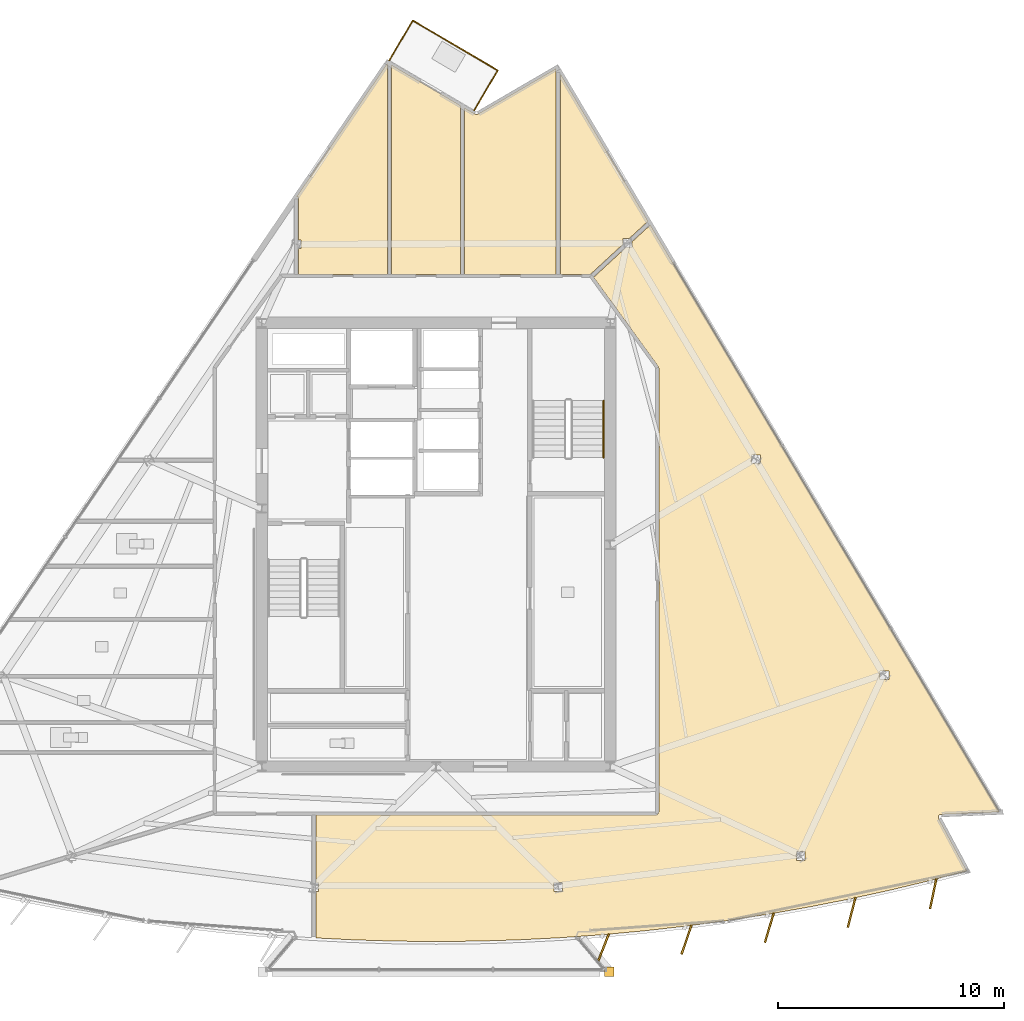
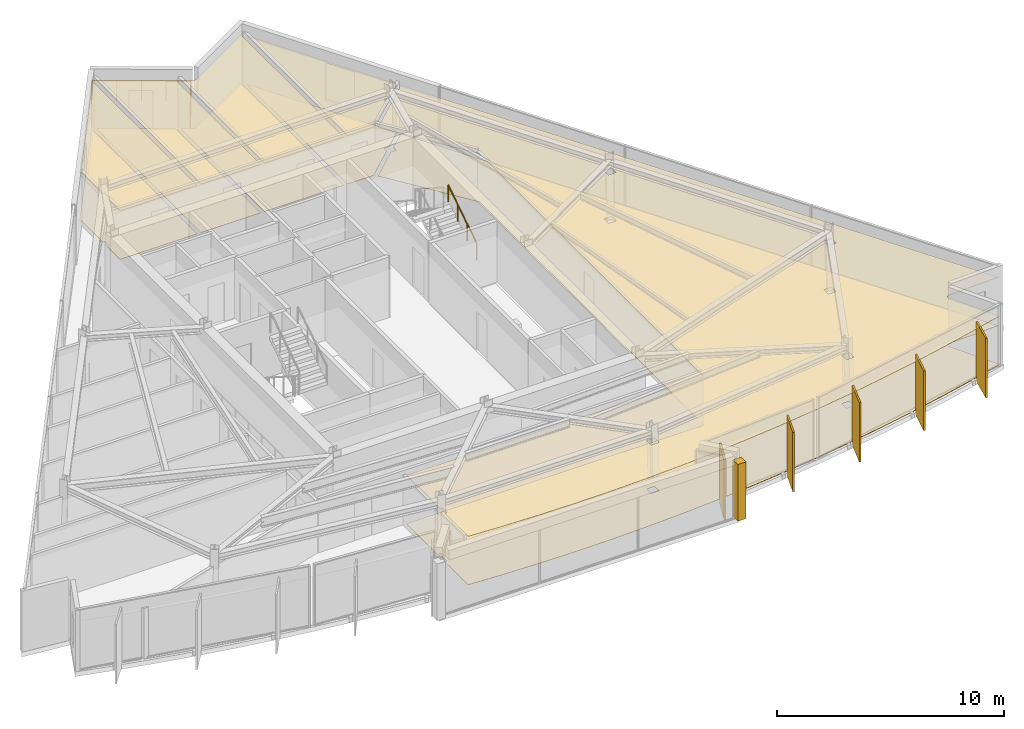
# One storey, part 13 of 14: 11 coverings, 5 shading devices, 4 railings.
"""IFC4 building model written with IfcOpenShell, lengths in metres."""

import ifcopenshell
import ifcopenshell.guid

model = None  # the IFC model being written
_history = None  # IfcOwnerHistory: only IFC2X3 demands one
_inside = {}  # id of a spatial element -> (the spatial element, [elements in it])
_under = {}  # id of a project, library or spatial element -> (it, [spatial elements below it])
_declared = {}  # id of a project -> (the project, [libraries it declares])
_typed = {}  # id of a type object -> (the type object, [elements of that type])
_made_of = {}  # id of a material, layer set ... -> (it, [elements and type objects made of it])


def new_model(schema):
    """Start an empty IFC model of exactly this schema.

    Asked for "IFC4X3", IfcOpenShell would pick the latest addendum, in which some entities
    have other attributes; the version numbers below select the first issue.
    IFC2X3 requires an IfcOwnerHistory on every rooted entity: one is made here for all.
    """
    global model, _history
    if schema == "IFC4X3":
        model = ifcopenshell.file(schema_version=(4, 3, 0, 0))
    else:
        model = ifcopenshell.file(schema=schema)
    _inside.clear()
    _under.clear()
    _declared.clear()
    _typed.clear()
    _made_of.clear()
    _history = None
    if model.schema == "IFC2X3":
        org = make("IfcOrganization", Name="unknown")
        user = make(
            "IfcPersonAndOrganization",
            ThePerson=make("IfcPerson", FamilyName="unknown"),
            TheOrganization=org,
        )
        app = make(
            "IfcApplication",
            ApplicationDeveloper=org,
            Version="unknown",
            ApplicationFullName="unknown",
            ApplicationIdentifier="unknown",
        )
        _history = make(
            "IfcOwnerHistory",
            OwningUser=user,
            OwningApplication=app,
            ChangeAction="ADDED",
            CreationDate=0,
        )
    return model


def make(cls, **values):
    """One entity of the class cls with the attributes given. An attribute that is None is left unset."""
    return model.create_entity(
        cls, **{name: value for name, value in values.items() if value is not None}
    )


def rooted(cls, **values):
    """An entity with a GlobalId (a new one), such as an element, a storey or a relation."""
    return make(cls, GlobalId=ifcopenshell.guid.new(), OwnerHistory=_history, **values)


def si_unit(unit_type, name, prefix=None):
    """IfcSIUnit, for example si_unit("LENGTHUNIT", "METRE", prefix="MILLI")."""
    return make("IfcSIUnit", UnitType=unit_type, Prefix=prefix, Name=name)


def assignment(units):
    """IfcUnitAssignment: the units of a project."""
    return None if units is None else make("IfcUnitAssignment", Units=units)


def point(xyz):
    """IfcCartesianPoint."""
    return None if xyz is None else make("IfcCartesianPoint", Coordinates=xyz)


def direction(xyz):
    """IfcDirection."""
    return None if xyz is None else make("IfcDirection", DirectionRatios=xyz)


def frame(location, z_axis=None, x_axis=None):
    """IfcAxis2Placement3D, a coordinate frame: its origin and axes. An axis left out is left unset."""
    return make(
        "IfcAxis2Placement3D",
        Location=point(location),
        Axis=direction(z_axis),
        RefDirection=direction(x_axis),
    )


def frame_2d(location, x_axis=None):
    """IfcAxis2Placement2D, a coordinate frame in the plane: its origin and x axis."""
    return make(
        "IfcAxis2Placement2D", Location=point(location), RefDirection=direction(x_axis)
    )


def origin():
    """The frame at (0, 0, 0) with its axes left unset."""
    return frame((0.0, 0.0, 0.0))


def origin_2d():
    """The frame at (0, 0) in the plane with its x axis left unset."""
    return frame_2d((0.0, 0.0))


def place(relative_to, where):
    """IfcLocalPlacement: puts the frame where relative to a parent placement (None: the world)."""
    return make(
        "IfcLocalPlacement", PlacementRelTo=relative_to, RelativePlacement=where
    )


def context(
    kind, dimensions, precision=None, world=None, true_north=None, identifier=None
):
    """IfcGeometricRepresentationContext, for example the 3D "Model" context."""
    return make(
        "IfcGeometricRepresentationContext",
        ContextIdentifier=identifier,
        ContextType=kind,
        CoordinateSpaceDimension=dimensions,
        Precision=precision,
        WorldCoordinateSystem=world,
        TrueNorth=true_north,
    )


def subcontext(parent, identifier, kind, view, scale=None):
    """IfcGeometricRepresentationSubContext, for example "Body" below "Model"."""
    return make(
        "IfcGeometricRepresentationSubContext",
        ContextIdentifier=identifier,
        ContextType=kind,
        ParentContext=parent,
        TargetScale=scale,
        TargetView=view,
    )


def project(units=None, contexts=None):
    """IfcProject with its units and contexts."""
    return rooted(
        "IfcProject",
        Name="project",
        RepresentationContexts=contexts,
        UnitsInContext=assignment(units),
    )


def spatial(cls, under=None, at=None, **own):
    """A site, building, storey or space (cls), placed at a placement, below another one or the project."""
    s = rooted(cls, ObjectPlacement=at, **own)
    if under is not None:
        _under.setdefault(under.id(), (under, []))[1].append(s)
    return s


def polyline(points):
    """IfcPolyline through the points."""
    return make("IfcPolyline", Points=[point(p) for p in points])


def profile(cls, at=None, kind="AREA", **sizes):
    """A parametric profile (cls). Its sizes go by their IFC names, for example OverallWidth=200.0."""
    return make(cls, ProfileType=kind, Position=at, **sizes)


def rectangle(**sizes):
    """IfcRectangleProfileDef."""
    return profile("IfcRectangleProfileDef", **sizes)


def circle(**sizes):
    """IfcCircleProfileDef."""
    return profile("IfcCircleProfileDef", **sizes)


def outline(outer, holes=None, kind="AREA"):
    """IfcArbitraryClosedProfileDef: a profile drawn as a closed curve; with holes, ...WithVoids."""
    if holes is None:
        return make("IfcArbitraryClosedProfileDef", ProfileType=kind, OuterCurve=outer)
    return make(
        "IfcArbitraryProfileDefWithVoids",
        ProfileType=kind,
        OuterCurve=outer,
        InnerCurves=holes,
    )


def extrude(swept, where, along, depth):
    """IfcExtrudedAreaSolid: the profile swept, set in the frame where, extruded along a direction by depth."""
    return make(
        "IfcExtrudedAreaSolid",
        SweptArea=swept,
        Position=where,
        ExtrudedDirection=direction(along),
        Depth=depth,
    )


def shape(context_of_items, identifier, shape_type, items):
    """IfcShapeRepresentation: the items that make up one representation, for example the "Body"."""
    return make(
        "IfcShapeRepresentation",
        ContextOfItems=context_of_items,
        RepresentationIdentifier=identifier,
        RepresentationType=shape_type,
        Items=items,
    )


def material(Name=None, Category=None):
    """IfcMaterial."""
    return make("IfcMaterial", Name=Name, Category=Category)


def layer(
    of_material, thickness, ventilated=None, Name=None, Category=None, Priority=None
):
    """IfcMaterialLayer: one layer of a wall or slab, of a material (None: an air gap)."""
    return make(
        "IfcMaterialLayer",
        Material=of_material,
        LayerThickness=thickness,
        IsVentilated=ventilated,
        Name=Name,
        Category=Category,
        Priority=Priority,
    )


def layer_set(layers, Name=None):
    """IfcMaterialLayerSet."""
    return make("IfcMaterialLayerSet", MaterialLayers=layers, LayerSetName=Name)


def made_of(thing, what):
    """Note that an element or type object is made of a material, layer set ...; save() writes the relation."""
    if what is not None:
        _made_of.setdefault(what.id(), (what, []))[1].append(thing)
    return thing


def type_object(cls, material=None, **own):
    """A type object (cls), such as IfcWallType, which elements share."""
    return made_of(rooted(cls, **own), material)


def element(
    cls,
    number,
    at=None,
    inside=None,
    cuts=None,
    type_object=None,
    material=None,
    context=None,
    identifier="Body",
    shape_type=None,
    held_by="IfcProductDefinitionShape",
    body=None,
    shapes=None,
    **own,
):
    """One element of the class cls, such as IfcWall. Its Tag is "e" and its number.

    at: its placement. inside: the storey or other place that contains it. cuts: it is an
    opening in that element (IfcRelVoidsElement). A single representation is given by context,
    identifier, shape_type and body (its items); several are given by shapes. held_by: the class
    of the entity that holds the representations. save() writes the other relations.
    """
    e = rooted(cls, Tag="e%d" % number, ObjectPlacement=at, **own)
    if body is not None:
        shapes = [shape(context, identifier, shape_type, body)]
    if shapes is not None:
        e.Representation = make(held_by, Representations=shapes)
    if inside is not None:
        _inside.setdefault(inside.id(), (inside, []))[1].append(e)
    if cuts is not None:
        rooted(
            "IfcRelVoidsElement", RelatingBuildingElement=cuts, RelatedOpeningElement=e
        )
    if type_object is not None:
        _typed.setdefault(type_object.id(), (type_object, []))[1].append(e)
    return made_of(e, material)


def aggregate(whole, parts):
    """IfcRelAggregates: a whole, such as a stair, and the parts it consists of."""
    return rooted("IfcRelAggregates", RelatingObject=whole, RelatedObjects=parts)


def save(model, path):
    """Write the relations noted so far, then the file.

    IfcRelAggregates (storeys below a building ...), IfcRelContainedInSpatialStructure (elements
    in a storey), IfcRelDefinesByType, IfcRelAssociatesMaterial and IfcRelDeclares: one each for
    every whole, place, type object, material and project.
    """
    for whole, parts in _under.values():
        aggregate(whole, parts)
    for where, things in _inside.values():
        rooted(
            "IfcRelContainedInSpatialStructure",
            RelatedElements=things,
            RelatingStructure=where,
        )
    for kind, things in _typed.values():
        rooted("IfcRelDefinesByType", RelatedObjects=things, RelatingType=kind)
    for what, things in _made_of.values():
        rooted("IfcRelAssociatesMaterial", RelatedObjects=things, RelatingMaterial=what)
    for by, libraries in _declared.values():
        rooted("IfcRelDeclares", RelatingContext=by, RelatedDefinitions=libraries)
    model.write(path)


model = new_model("IFC4")

# Units and contexts
model_context = context("Model", 3, precision=1e-05, world=origin(), true_north=direction((0.0, 1.0)))
body_context = subcontext(model_context, "Body", "Model", "MODEL_VIEW")
ifc_project = project(units=[si_unit("LENGTHUNIT", "METRE"), si_unit("AREAUNIT", "SQUARE_METRE"), si_unit("VOLUMEUNIT", "CUBIC_METRE"), si_unit("PLANEANGLEUNIT", "RADIAN"), si_unit("MASSUNIT", "GRAM", prefix="KILO")], contexts=[model_context])

# Site, building, storey
site_placement = place(None, origin())
site = spatial("IfcSite", under=ifc_project, at=site_placement, CompositionType="ELEMENT")
building_placement = place(site_placement, origin())
building = spatial("IfcBuilding", under=site, at=building_placement, Name="Savorim Split Tower", CompositionType="ELEMENT")
storey_placement = place(building_placement, frame((0.0, 0.0, 237.89990234375)))
storey = spatial("IfcBuildingStorey", under=building, at=storey_placement, Name="L63", CompositionType="ELEMENT", Elevation=237.89990234375)

# Coverings
ifc_material_1 = material(Name="Mineral Fibre Acoustic Ceiling")
ifc_layer_1 = layer(ifc_material_1, 0.02490234375)
ifc_layer_set_1 = layer_set([ifc_layer_1], Name="COV-CEIL-25")
covering_type_1 = type_object("IfcCoveringType", Name="COV-CEIL-25", PredefinedType="CEILING", material=ifc_layer_set_1)
covering_1_placement = place(storey_placement, frame((0.0, 0.0, 2.60009765625)))
element("IfcCovering", 1, at=covering_1_placement, inside=storey, type_object=covering_type_1, Name="L63 Maker Workshop Acoustic Ceiling", PredefinedType="CEILING", context=body_context, shape_type="SweptSolid", body=[
    extrude(outline(polyline([(22.282958984375, -11.518310546875), (22.294189453125, -11.516357421875), (22.305908203125, -11.51513671875), (24.887451171875, -11.405517578125), (9.467041015625, 14.527587890625), (8.6533203125, 13.776611328125), (8.6533203125, 13.528076171875), (8.3837890625, 13.528076171875), (6.969482421875, 12.22265625), (6.961669921875, 12.215576171875), (9.813232421875, 8.2822265625), (9.8212890625, 8.27001953125), (9.827880859375, 8.2568359375), (9.833251953125, 8.2431640625), (9.8369140625, 8.22900390625), (9.839111328125, 8.214599609375), (9.840087890625, 8.199951171875), (9.840087890625, -11.39990234375), (9.83935546875, -11.413818359375), (9.83740234375, -11.42724609375), (9.833984375, -11.440673828125), (9.829345703125, -11.45361328125), (9.823486328125, -11.466064453125), (9.81640625, -11.477783203125), (9.80810546875, -11.48876953125), (9.799072265625, -11.4990234375), (9.788818359375, -11.50830078125), (9.77783203125, -11.516357421875), (9.76611328125, -11.5234375), (9.753662109375, -11.529296875), (9.740478515625, -11.533935546875), (9.727294921875, -11.537353515625), (9.713623046875, -11.539306640625), (9.699951171875, -11.5400390625), (-5.305908203125, -11.5400390625), (-5.305908203125, -14.532470703125), (-5.203857421875, -14.532470703125), (-5.203857421875, -14.924560546875), (-5.305908203125, -14.924560546875), (-5.305908203125, -16.919189453125), (-5.305908203125, -16.97412109375), (-3.672607421875, -17.0576171875), (-1.836669921875, -17.114013671875), (0.0, -17.1328125), (1.836669921875, -17.114013671875), (3.672607421875, -17.0576171875), (5.5068359375, -16.963623046875), (7.3388671875, -16.832275390625), (9.167724609375, -16.663330078125), (10.992919921875, -16.45703125), (12.8134765625, -16.21337890625), (14.62841796875, -15.9326171875), (16.4375, -15.61474609375), (18.23974609375, -15.260009765625), (20.0341796875, -14.868408203125), (21.8203125, -14.440185546875), (23.450927734375, -14.013671875), (22.205078125, -11.69189453125), (22.2001953125, -11.681396484375), (22.1962890625, -11.670654296875), (22.193359375, -11.659423828125), (22.191650390625, -11.64794921875), (22.19091796875, -11.636474609375), (22.19140625, -11.625), (22.19287109375, -11.613525390625), (22.195556640625, -11.602294921875), (22.19921875, -11.59130859375), (22.203857421875, -11.580810546875), (22.209716796875, -11.57080078125), (22.21630859375, -11.561279296875), (22.223876953125, -11.552490234375), (22.232177734375, -11.544677734375), (22.2412109375, -11.537353515625), (22.2509765625, -11.53125), (22.26123046875, -11.52587890625), (22.27197265625, -11.521484375), (22.282958984375, -11.518310546875)]), holes=[polyline([(5.203857421875, -14.924560546875), (5.597900390625, -14.924560546875), (5.597900390625, -14.532470703125), (5.203857421875, -14.532470703125), (5.203857421875, -14.924560546875)]), polyline([(16.311767578125, -13.548828125), (16.311767578125, -13.156982421875), (15.917724609375, -13.156982421875), (15.917724609375, -13.548828125), (16.311767578125, -13.548828125)]), polyline([(20.006591796875, -5.565673828125), (20.006591796875, -5.173583984375), (19.612548828125, -5.173583984375), (19.612548828125, -5.565673828125), (20.006591796875, -5.565673828125)]), polyline([(14.329833984375, 3.981201171875), (14.329833984375, 4.373291015625), (13.935791015625, 4.373291015625), (13.935791015625, 3.981201171875), (14.329833984375, 3.981201171875)])]), origin(), (0.0, 0.0, 1.0), 0.02490234375),
])
covering_2_placement = place(storey_placement, frame((0.0, 0.0, 2.60009765625)))
element("IfcCovering", 2, at=covering_2_placement, inside=storey, type_object=covering_type_1, Name="L63 Quiet Study Room Acoustic Ceiling", PredefinedType="CEILING", context=body_context, shape_type="SweptSolid", body=[
    extrude(outline(polyline([(8.528564453125, 13.919921875), (9.3154296875, 14.646240234375), (9.36767578125, 14.694580078125), (5.492919921875, 21.211181640625), (5.492919921875, 12.340087890625), (6.800048828125, 12.340087890625), (6.813232421875, 12.33935546875), (6.8154296875, 12.339111328125), (8.25927734375, 13.67138671875), (8.25927734375, 13.919921875), (8.528564453125, 13.919921875)])), origin(), (0.0, 0.0, 1.0), 0.02490234375),
])
covering_3_placement = place(storey_placement, frame((0.0, 0.0, 2.60009765625)))
element("IfcCovering", 3, at=covering_3_placement, inside=storey, type_object=covering_type_1, Name="L63 Quiet Study Room Acoustic Ceiling", PredefinedType="CEILING", context=body_context, shape_type="SweptSolid", body=[
    extrude(outline(polyline([(1.748779296875, 19.415283203125), (1.73828125, 19.419921875), (1.72802734375, 19.425048828125), (1.259521484375, 19.700439453125), (1.259521484375, 12.340087890625), (5.302734375, 12.340087890625), (5.302734375, 21.437744140625), (1.84912109375, 19.4248046875), (1.839111328125, 19.419677734375), (1.828369140625, 19.415283203125), (1.817138671875, 19.412109375), (1.805908203125, 19.409912109375), (1.79443359375, 19.40869140625), (1.78271484375, 19.40869140625), (1.771240234375, 19.409912109375), (1.760009765625, 19.412109375), (1.748779296875, 19.415283203125)])), origin(), (0.0, 0.0, 1.0), 0.02490234375),
])
covering_4_placement = place(storey_placement, frame((0.0, 0.0, 2.60009765625)))
element("IfcCovering", 4, at=covering_4_placement, inside=storey, type_object=covering_type_1, Name="L63 Quiet Study Room Acoustic Ceiling", PredefinedType="CEILING", context=body_context, shape_type="SweptSolid", body=[
    extrude(outline(polyline([(-1.960693359375, 12.340087890625), (1.069580078125, 12.340087890625), (1.069580078125, 19.812255859375), (-1.960693359375, 21.593017578125), (-1.960693359375, 12.340087890625)])), origin(), (0.0, 0.0, 1.0), 0.02490234375),
])
covering_5_placement = place(storey_placement, frame((0.0, 0.0, 2.60009765625)))
element("IfcCovering", 5, at=covering_5_placement, inside=storey, type_object=covering_type_1, Name="L63 Quiet Study Room Acoustic Ceiling", PredefinedType="CEILING", context=body_context, shape_type="SweptSolid", body=[
    extrude(outline(polyline([(-5.97314453125, 13.479248046875), (-6.0751953125, 13.479248046875), (-6.0751953125, 12.340087890625), (-2.150634765625, 12.340087890625), (-2.150634765625, 21.671142578125), (-6.166015625, 15.768310546875), (-6.0751953125, 15.768310546875), (-6.0751953125, 13.87109375), (-5.97314453125, 13.87109375), (-5.97314453125, 13.479248046875)])), origin(), (0.0, 0.0, 1.0), 0.02490234375),
])
ifc_material_2 = material(Name="Porcelain Stoneware Flooring", Category="masonry")
ifc_layer_2 = layer(ifc_material_2, 0.02001953125)
ifc_layer_set_2 = layer_set([ifc_layer_2], Name="COV-FLOR-20")
covering_type_2 = type_object("IfcCoveringType", Name="COV-FLOR-20", PredefinedType="FLOORING", material=ifc_layer_set_2)
covering_6_placement = place(storey_placement, origin())
element("IfcCovering", 6, at=covering_6_placement, inside=storey, type_object=covering_type_2, Name="L63 Maker Workshop Porcelain Flooring", PredefinedType="FLOORING", context=body_context, shape_type="SweptSolid", body=[
    extrude(outline(polyline([(22.282958984375, -11.518310546875), (22.294189453125, -11.516357421875), (22.305908203125, -11.51513671875), (24.887451171875, -11.405517578125), (9.467041015625, 14.527587890625), (8.6533203125, 13.776611328125), (8.6533203125, 13.528076171875), (8.3837890625, 13.528076171875), (6.969482421875, 12.22265625), (6.961669921875, 12.215576171875), (9.813232421875, 8.2822265625), (9.8212890625, 8.27001953125), (9.827880859375, 8.2568359375), (9.833251953125, 8.2431640625), (9.8369140625, 8.22900390625), (9.839111328125, 8.214599609375), (9.840087890625, 8.199951171875), (9.840087890625, -11.39990234375), (9.83935546875, -11.413818359375), (9.83740234375, -11.42724609375), (9.833984375, -11.440673828125), (9.829345703125, -11.45361328125), (9.823486328125, -11.466064453125), (9.81640625, -11.477783203125), (9.80810546875, -11.48876953125), (9.799072265625, -11.4990234375), (9.788818359375, -11.50830078125), (9.77783203125, -11.516357421875), (9.76611328125, -11.5234375), (9.753662109375, -11.529296875), (9.740478515625, -11.533935546875), (9.727294921875, -11.537353515625), (9.713623046875, -11.539306640625), (9.699951171875, -11.5400390625), (-5.305908203125, -11.5400390625), (-5.305908203125, -14.532470703125), (-5.203857421875, -14.532470703125), (-5.203857421875, -14.924560546875), (-5.305908203125, -14.924560546875), (-5.305908203125, -16.919189453125), (-5.305908203125, -16.97412109375), (-3.672607421875, -17.0576171875), (-1.836669921875, -17.114013671875), (0.0, -17.1328125), (1.836669921875, -17.114013671875), (3.672607421875, -17.0576171875), (5.5068359375, -16.963623046875), (7.3388671875, -16.832275390625), (9.167724609375, -16.663330078125), (10.992919921875, -16.45703125), (12.8134765625, -16.21337890625), (14.62841796875, -15.9326171875), (16.4375, -15.61474609375), (18.23974609375, -15.260009765625), (20.0341796875, -14.868408203125), (21.8203125, -14.440185546875), (23.450927734375, -14.013671875), (22.205078125, -11.69189453125), (22.2001953125, -11.681396484375), (22.1962890625, -11.670654296875), (22.193359375, -11.659423828125), (22.191650390625, -11.64794921875), (22.19091796875, -11.636474609375), (22.19140625, -11.625), (22.19287109375, -11.613525390625), (22.195556640625, -11.602294921875), (22.19921875, -11.59130859375), (22.203857421875, -11.580810546875), (22.209716796875, -11.57080078125), (22.21630859375, -11.561279296875), (22.223876953125, -11.552490234375), (22.232177734375, -11.544677734375), (22.2412109375, -11.537353515625), (22.2509765625, -11.53125), (22.26123046875, -11.52587890625), (22.27197265625, -11.521484375), (22.282958984375, -11.518310546875)]), holes=[polyline([(5.203857421875, -14.924560546875), (5.597900390625, -14.924560546875), (5.597900390625, -14.532470703125), (5.203857421875, -14.532470703125), (5.203857421875, -14.924560546875)]), polyline([(16.311767578125, -13.548828125), (16.311767578125, -13.156982421875), (15.917724609375, -13.156982421875), (15.917724609375, -13.548828125), (16.311767578125, -13.548828125)]), polyline([(20.006591796875, -5.565673828125), (20.006591796875, -5.173583984375), (19.612548828125, -5.173583984375), (19.612548828125, -5.565673828125), (20.006591796875, -5.565673828125)]), polyline([(14.329833984375, 3.981201171875), (14.329833984375, 4.373291015625), (13.935791015625, 4.373291015625), (13.935791015625, 3.981201171875), (14.329833984375, 3.981201171875)])]), origin(), (0.0, 0.0, 1.0), 0.02001953125),
])
covering_7_placement = place(storey_placement, origin())
element("IfcCovering", 7, at=covering_7_placement, inside=storey, type_object=covering_type_2, Name="L63 Quiet Study Room Porcelain Flooring", PredefinedType="FLOORING", context=body_context, shape_type="SweptSolid", body=[
    extrude(outline(polyline([(8.528564453125, 13.919921875), (9.3154296875, 14.646240234375), (9.36767578125, 14.694580078125), (5.492919921875, 21.211181640625), (5.492919921875, 12.340087890625), (6.800048828125, 12.340087890625), (6.813232421875, 12.33935546875), (6.8154296875, 12.339111328125), (8.25927734375, 13.67138671875), (8.25927734375, 13.919921875), (8.528564453125, 13.919921875)])), origin(), (0.0, 0.0, 1.0), 0.02001953125),
])
covering_8_placement = place(storey_placement, origin())
element("IfcCovering", 8, at=covering_8_placement, inside=storey, type_object=covering_type_2, Name="L63 Quiet Study Room Porcelain Flooring", PredefinedType="FLOORING", context=body_context, shape_type="SweptSolid", body=[
    extrude(outline(polyline([(1.748779296875, 19.415283203125), (1.73828125, 19.419921875), (1.72802734375, 19.425048828125), (1.259521484375, 19.700439453125), (1.259521484375, 12.340087890625), (5.302734375, 12.340087890625), (5.302734375, 21.437744140625), (1.84912109375, 19.4248046875), (1.839111328125, 19.419677734375), (1.828369140625, 19.415283203125), (1.817138671875, 19.412109375), (1.805908203125, 19.409912109375), (1.79443359375, 19.40869140625), (1.78271484375, 19.40869140625), (1.771240234375, 19.409912109375), (1.760009765625, 19.412109375), (1.748779296875, 19.415283203125)])), origin(), (0.0, 0.0, 1.0), 0.02001953125),
])
covering_9_placement = place(storey_placement, origin())
element("IfcCovering", 9, at=covering_9_placement, inside=storey, type_object=covering_type_2, Name="L63 Quiet Study Room Porcelain Flooring", PredefinedType="FLOORING", context=body_context, shape_type="SweptSolid", body=[
    extrude(outline(polyline([(-1.960693359375, 12.340087890625), (1.069580078125, 12.340087890625), (1.069580078125, 19.812255859375), (-1.960693359375, 21.593017578125), (-1.960693359375, 12.340087890625)])), origin(), (0.0, 0.0, 1.0), 0.02001953125),
])
covering_10_placement = place(storey_placement, origin())
element("IfcCovering", 10, at=covering_10_placement, inside=storey, type_object=covering_type_2, Name="L63 Quiet Study Room Porcelain Flooring", PredefinedType="FLOORING", context=body_context, shape_type="SweptSolid", body=[
    extrude(outline(polyline([(-5.97314453125, 13.479248046875), (-6.0751953125, 13.479248046875), (-6.0751953125, 12.340087890625), (-2.150634765625, 12.340087890625), (-2.150634765625, 21.671142578125), (-6.166015625, 15.768310546875), (-6.0751953125, 15.768310546875), (-6.0751953125, 13.87109375), (-5.97314453125, 13.87109375), (-5.97314453125, 13.479248046875)])), origin(), (0.0, 0.0, 1.0), 0.02001953125),
])
ifc_material_3 = material(Name="White Porcelain Architectural Cladding")
ifc_layer_3 = layer(ifc_material_3, 0.139892578125)
ifc_layer_set_3 = layer_set([ifc_layer_3], Name="COV-FRM-WHITE")
covering_type_3 = type_object("IfcCoveringType", Name="COV-FRM-WHITE", PredefinedType="CLADDING", material=ifc_layer_set_3)
covering_11_placement = place(storey_placement, frame((0.0, 0.0, 0.010009765625)))
element("IfcCovering", 11, at=covering_11_placement, inside=storey, type_object=covering_type_3, Name="L63 Cantilevered Lounge White Frame Corner Post 2", PredefinedType="CLADDING", context=body_context, shape_type="SweptSolid", body=[
    extrude(outline(polyline([(7.444091796875, -18.677490234375), (7.864013671875, -18.677490234375), (7.864013671875, -18.257568359375), (7.444091796875, -18.257568359375), (7.444091796875, -18.677490234375)])), origin(), (0.0, 0.0, 1.0), 3.050048828125),
])

# Railings
ifc_material_4 = material(Name="Galvanised Painted Steel Balustrade", Category="steel")
railing_type_1 = type_object("IfcRailingType", Name="RLG-BAL-1100", PredefinedType="BALUSTRADE", material=ifc_material_4)
railing_1_placement = place(storey_placement, frame((-2.06689453125, 21.794677734375, 0.0)))
element("IfcRailing", 12, at=railing_1_placement, inside=storey, type_object=railing_type_1, Name="L63 Tree Balcony Guardrail N-1", PredefinedType="BALUSTRADE", context=body_context, shape_type="SweptSolid", body=[
    extrude(circle(Radius=0.02392578125, at=origin_2d()), frame((0.0, 0.0, 1.076171875), z_axis=(0.506733850669, 0.862102548764, 0.0), x_axis=(-0.862102548764, 0.506733850669, 0.0)), (0.0, 0.0, 1.0), 2.050048828125),
    extrude(circle(Radius=0.02099609375, at=origin_2d()), origin(), (0.0, 0.0, 1.0), 1.052001953125),
    extrude(circle(Radius=0.02099609375, at=origin_2d()), frame((0.51953125, 0.8837890625, 0.0)), (0.0, 0.0, 1.0), 1.052001953125),
    extrude(circle(Radius=0.02099609375, at=origin_2d()), frame((1.038818359375, 1.767333984375, 0.0)), (0.0, 0.0, 1.0), 1.052001953125),
])
railing_2_placement = place(storey_placement, frame((-1.028076171875, 23.56201171875, 0.0)))
element("IfcRailing", 13, at=railing_2_placement, inside=storey, type_object=railing_type_1, Name="L63 Tree Balcony Guardrail N-2", PredefinedType="BALUSTRADE", context=body_context, shape_type="SweptSolid", body=[
    extrude(circle(Radius=0.02392578125, at=origin_2d()), frame((0.0, 0.0, 1.076171875), z_axis=(0.862120178289, -0.506703856496, 0.0), x_axis=(0.506703856496, 0.862120178289, 0.0)), (0.0, 0.0, 1.0), 4.352294921875),
    extrude(circle(Radius=0.02099609375, at=origin_2d()), origin(), (0.0, 0.0, 1.0), 1.052001953125),
    extrude(circle(Radius=0.02099609375, at=origin_2d()), frame((0.93798828125, -0.55126953125, 0.0)), (0.0, 0.0, 1.0), 1.052001953125),
    extrude(circle(Radius=0.02099609375, at=origin_2d()), frame((1.8759765625, -1.1025390625, 0.0)), (0.0, 0.0, 1.0), 1.052001953125),
    extrude(circle(Radius=0.02099609375, at=origin_2d()), frame((2.814208984375, -1.654052734375, 0.0)), (0.0, 0.0, 1.0), 1.052001953125),
    extrude(circle(Radius=0.02099609375, at=origin_2d()), frame((3.752197265625, -2.205322265625, 0.0)), (0.0, 0.0, 1.0), 1.052001953125),
])
railing_3_placement = place(storey_placement, frame((2.72412109375, 21.356689453125, 0.0)))
element("IfcRailing", 14, at=railing_3_placement, inside=storey, type_object=railing_type_1, Name="L63 Tree Balcony Guardrail N-3", PredefinedType="BALUSTRADE", context=body_context, shape_type="SweptSolid", body=[
    extrude(circle(Radius=0.02392578125, at=origin_2d()), frame((0.0, 0.0, 1.076171875), z_axis=(-0.506733850669, -0.862102548764, 0.0), x_axis=(0.862102548764, -0.506733850669, 0.0)), (0.0, 0.0, 1.0), 2.050048828125),
    extrude(circle(Radius=0.02099609375, at=origin_2d()), origin(), (0.0, 0.0, 1.0), 1.052001953125),
    extrude(circle(Radius=0.02099609375, at=origin_2d()), frame((-0.51953125, -0.8837890625, 0.0)), (0.0, 0.0, 1.0), 1.052001953125),
    extrude(circle(Radius=0.02099609375, at=origin_2d()), frame((-1.038818359375, -1.767333984375, 0.0)), (0.0, 0.0, 1.0), 1.052001953125),
])
railing_type_2 = type_object("IfcRailingType", Name="RLG-HR-900", PredefinedType="HANDRAIL", material=ifc_material_4)
railing_4_placement = place(storey_placement, frame((7.39990234375, 4.25, 0.18017578125)))
element("IfcRailing", 15, at=railing_4_placement, inside=storey, type_object=railing_type_2, Name="L63 ST-2 stair handrail 1", PredefinedType="HANDRAIL", context=body_context, shape_type="SweptSolid", body=[
    extrude(circle(Radius=0.02392578125, at=origin_2d()), frame((0.0, 0.0, 0.8759765625), z_axis=(0.0, 0.841199657755, 0.540724639528), x_axis=(-1.0, 0.0, 0.0)), (0.0, 0.0, 1.0), 2.995849609375),
    extrude(circle(Radius=0.02099609375, at=origin_2d()), origin(), (0.0, 0.0, 1.0), 0.851806640625),
    extrude(circle(Radius=0.02099609375, at=origin_2d()), frame((0.0, 0.840087890625, 0.5400390625)), (0.0, 0.0, 1.0), 0.851806640625),
    extrude(circle(Radius=0.02099609375, at=origin_2d()), frame((0.0, 1.679931640625, 1.079833984375)), (0.0, 0.0, 1.0), 0.851806640625),
    extrude(circle(Radius=0.02099609375, at=origin_2d()), frame((0.0, 2.52001953125, 1.619873046875)), (0.0, 0.0, 1.0), 0.851806640625),
])

# Shading devices
ifc_material_5 = material(Name="Terracotta Ceramic-Coated Aluminium Fin", Category="masonry")
shading_device_type = type_object("IfcShadingDeviceType", Name="SHD-FIN-1360", PredefinedType="USERDEFINED", material=ifc_material_5)
for number, where, z_axis, x_axis, name in (
    (16, (7.3876953125, -17.42626953125, -0.19970703125), (0.0, 0.0, 1.0), (-0.363415461732, -0.931627179817, 0.0), "L63 Sawtooth Shading Fin 09"),
    (17, (11.06591796875, -17.048583984375, -0.19970703125), (0.0, 0.0, 1.0), (-0.324993810493, -0.945716143005, 0.0), "L63 Sawtooth Shading Fin 10"),
    (18, (14.7255859375, -16.520751953125, -0.19970703125), (0.0, 0.0, 1.0), (-0.286026212504, -0.958221793616, 0.0), "L63 Sawtooth Shading Fin 11"),
    (19, (18.36083984375, -15.843505859375, -0.19970703125), (0.0, 0.0, 1.0), (-0.246581250663, -0.969122121727, 0.0), "L63 Sawtooth Shading Fin 12"),
    (20, (21.965087890625, -15.018310546875, -0.19970703125), (0.0, 0.0, 1.0), (-0.206721626106, -0.978399800337, 0.0), "L63 Sawtooth Shading Fin 13"),
):
    element("IfcShadingDevice", number, at=place(storey_placement, frame(where, z_axis=z_axis, x_axis=x_axis)), inside=storey, type_object=shading_device_type, Name=name, ObjectType="FIN", PredefinedType="USERDEFINED", context=body_context, shape_type="SweptSolid", body=[
        extrude(rectangle(XDim=1.360107421875, YDim=0.080078125, at=origin_2d()), origin(), (0.0, 0.0, 1.0), 3.199951171875),
    ])

save(model, "model.ifc")
